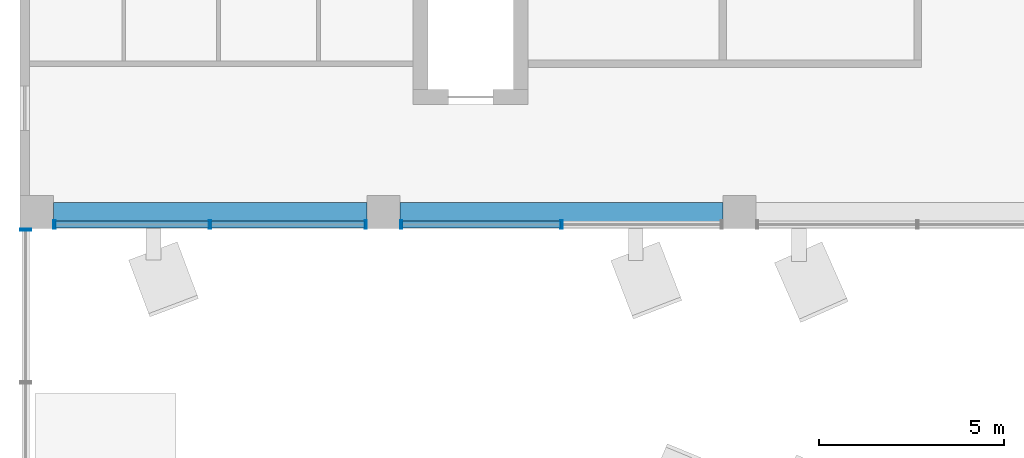
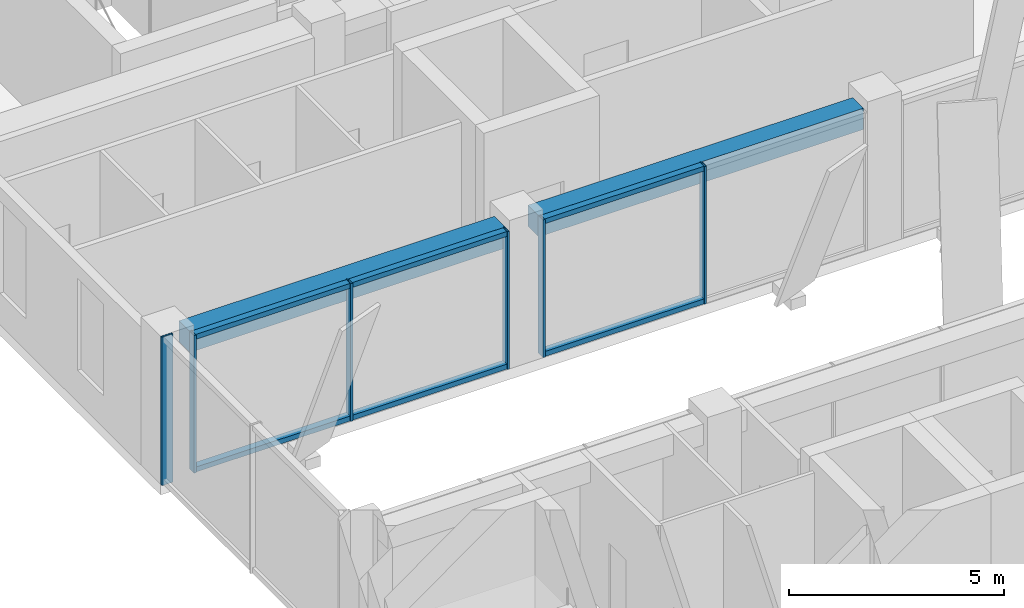
# One storey, part 8 of 36: 12 members, 2 beams, 3 elements without a shape of their own.
"""IFC4 building model written with IfcOpenShell, lengths in metres."""

from ifc_helpers import new_model, si_unit, direction, frame, origin, origin_2d, place, context, subcontext, project, spatial, rectangle, hollow_rectangle, extrude, material, layer, layer_set, material_profile, profile_set, type_object, element, aggregate, save


model = new_model("IFC4")

# Units and contexts
model_context = context("Model", 3, precision=1e-05, world=origin(), true_north=direction((0.0, 1.0)))
body_context = subcontext(model_context, "Body", "Model", "MODEL_VIEW")
ifc_project = project(units=[si_unit("LENGTHUNIT", "METRE"), si_unit("AREAUNIT", "SQUARE_METRE"), si_unit("VOLUMEUNIT", "CUBIC_METRE"), si_unit("PLANEANGLEUNIT", "RADIAN"), si_unit("MASSUNIT", "GRAM", prefix="KILO")], contexts=[model_context])

# Site, building, storey
site_placement = place(None, origin())
site = spatial("IfcSite", under=ifc_project, at=site_placement, CompositionType="ELEMENT")
building_placement = place(site_placement, origin())
building = spatial("IfcBuilding", under=site, at=building_placement, Name="Nzadi Deep Aquarium and Research Tower", CompositionType="ELEMENT")
storey_placement = place(building_placement, frame((0.0, 0.0, 36.10009765625)))
storey = spatial("IfcBuildingStorey", under=building, at=storey_placement, Name="L06", CompositionType="ELEMENT", Elevation=36.10009765625)

# Curtain wall, members
ifc_material_1 = material(Name="Aluminium unitised frame deep", Category="aluminium")
ifc_layer_1 = layer(ifc_material_1, 0.22509765625)
ifc_layer_set_1 = layer_set([ifc_layer_1], Name="Aluminium unitised frame deep")
curtain_wall_type_1 = type_object("IfcCurtainWallType", Name="Curtain wall Unitised Deep 225", PredefinedType="NOTDEFINED", material=ifc_layer_set_1)
curtain_wall_1_placement = place(storey_placement, origin())
curtain_wall_1 = element("IfcCurtainWall", 1, at=curtain_wall_1_placement, inside=storey, type_object=curtain_wall_type_1, Name="Unitised curtain wall blade B south L06", PredefinedType="NOTDEFINED")
ifc_material_2 = material(Name="Aluminium unitised frame deep", Category="aluminium")
ifc_material_profile_1 = material_profile(ifc_material_2, hollow_rectangle(XDim=0.22509765625, YDim=0.06005859375, WallThickness=0.0048828125, at=origin_2d()))
ifc_profile_set_1 = profile_set([ifc_material_profile_1], Name="Aluminium unitised frame deep")
member_type_1 = type_object("IfcMemberType", Name="Mullion 60x225 Unitised Deep", PredefinedType="MULLION", material=ifc_profile_set_1)
member_1_placement = place(storey_placement, frame((0.72998046875, 27.262451171875, 0.0), z_axis=(0.0, 0.0, 1.0), x_axis=(0.0, 1.0, 0.0)))
member_1 = element("IfcMember", 2, at=member_1_placement, type_object=member_type_1, Name="CW088 mullion 1", PredefinedType="MULLION", context=body_context, shape_type="SweptSolid", body=[
    extrude(hollow_rectangle(XDim=0.22509765625, YDim=0.06005859375, WallThickness=0.0048828125, at=origin_2d()), origin(), (0.0, 0.0, 1.0), 3.89990234375),
])
member_2_placement = place(storey_placement, frame((4.925048828125, 27.262451171875, 0.0), z_axis=(0.0, 0.0, 1.0), x_axis=(0.0, 1.0, 0.0)))
member_2 = element("IfcMember", 3, at=member_2_placement, type_object=member_type_1, Name="CW088 mullion 2", PredefinedType="MULLION", context=body_context, shape_type="SweptSolid", body=[
    extrude(hollow_rectangle(XDim=0.22509765625, YDim=0.06005859375, WallThickness=0.0048828125, at=origin_2d()), origin(), (0.0, 0.0, 1.0), 3.89990234375),
])
member_3_placement = place(storey_placement, frame((9.1201171875, 27.262451171875, 0.0), z_axis=(0.0, 0.0, 1.0), x_axis=(0.0, 1.0, 0.0)))
member_3 = element("IfcMember", 4, at=member_3_placement, type_object=member_type_1, Name="CW088 mullion 3", PredefinedType="MULLION", context=body_context, shape_type="SweptSolid", body=[
    extrude(hollow_rectangle(XDim=0.22509765625, YDim=0.06005859375, WallThickness=0.0048828125, at=origin_2d()), origin(), (0.0, 0.0, 1.0), 3.89990234375),
])

curtain_wall_2_placement = place(storey_placement, origin())
curtain_wall_2 = element("IfcCurtainWall", 5, at=curtain_wall_2_placement, inside=storey, type_object=curtain_wall_type_1, Name="Unitised curtain wall blade B south L06", PredefinedType="NOTDEFINED")
member_4_placement = place(storey_placement, frame((10.080078125, 27.262451171875, 0.0), z_axis=(0.0, 0.0, 1.0), x_axis=(0.0, 1.0, 0.0)))
member_4 = element("IfcMember", 6, at=member_4_placement, type_object=member_type_1, Name="CW089 mullion 1", PredefinedType="MULLION", context=body_context, shape_type="SweptSolid", body=[
    extrude(hollow_rectangle(XDim=0.22509765625, YDim=0.06005859375, WallThickness=0.0048828125, at=origin_2d()), origin(), (0.0, 0.0, 1.0), 3.89990234375),
])
member_5_placement = place(storey_placement, frame((14.39990234375, 27.262451171875, 0.0), z_axis=(0.0, 0.0, 1.0), x_axis=(0.0, 1.0, 0.0)))
member_5 = element("IfcMember", 7, at=member_5_placement, type_object=member_type_1, Name="CW089 mullion 2", PredefinedType="MULLION", context=body_context, shape_type="SweptSolid", body=[
    extrude(hollow_rectangle(XDim=0.22509765625, YDim=0.06005859375, WallThickness=0.0048828125, at=origin_2d()), origin(), (0.0, 0.0, 1.0), 3.89990234375),
])

# Curtain wall, member
ifc_material_3 = material(Name="Aluminium unitised frame wind post", Category="aluminium")
ifc_layer_2 = layer(ifc_material_3, 0.300048828125)
ifc_layer_set_2 = layer_set([ifc_layer_2], Name="Aluminium unitised frame wind post")
curtain_wall_type_2 = type_object("IfcCurtainWallType", Name="Curtain wall Slot End 300", PredefinedType="NOTDEFINED", material=ifc_layer_set_2)
curtain_wall_3_placement = place(storey_placement, origin())
curtain_wall_3 = element("IfcCurtainWall", 8, at=curtain_wall_3_placement, inside=storey, type_object=curtain_wall_type_2, Name="Glazed slot end west L06", PredefinedType="NOTDEFINED")
ifc_material_4 = material(Name="Aluminium unitised frame wind post", Category="aluminium")
ifc_material_profile_2 = material_profile(ifc_material_4, hollow_rectangle(XDim=0.300048828125, YDim=0.06005859375, WallThickness=0.0048828125, at=origin_2d()))
ifc_profile_set_2 = profile_set([ifc_material_profile_2], Name="Aluminium unitised frame wind post")
member_type_2 = type_object("IfcMemberType", Name="Mullion 60x300 Slot End", PredefinedType="MULLION", material=ifc_profile_set_2)
member_6_placement = place(storey_placement, frame((-0.049560546875, 27.1201171875, 0.0), z_axis=(0.0, 0.0, 1.0), x_axis=(-1.0, 0.0, 0.0)))
member_6 = element("IfcMember", 9, at=member_6_placement, type_object=member_type_2, Name="CW203 mullion 3", PredefinedType="MULLION", context=body_context, shape_type="SweptSolid", body=[
    extrude(hollow_rectangle(XDim=0.300048828125, YDim=0.06005859375, WallThickness=0.0048828125, at=origin_2d()), origin(), (0.0, 0.0, 1.0), 4.199951171875),
])
aggregate(curtain_wall_3, [member_6])

# Beams
ifc_material_5 = material(Name="Concrete C35/45", Category="concrete")
ifc_material_profile_3 = material_profile(ifc_material_5, rectangle(XDim=0.5, YDim=0.60009765625, at=origin_2d()))
ifc_profile_set_3 = profile_set([ifc_material_profile_3], Name="Concrete C35/45")
beam_type = type_object("IfcBeamType", Name="RC 500x600", PredefinedType="BEAM", material=ifc_profile_set_3)
beam_1_placement = place(storey_placement, frame((0.699951171875, 27.60009765625, 3.599853515625), z_axis=(1.0, 0.0, 0.0), x_axis=(0.0, 1.0, 0.0)))
element("IfcBeam", 10, at=beam_1_placement, inside=storey, type_object=beam_type, Name="B-Z1-L06-L4-1", PredefinedType="BEAM", context=body_context, shape_type="SweptSolid", body=[
    extrude(rectangle(XDim=0.5, YDim=0.60009765625, at=origin_2d()), origin(), (0.0, 0.0, 1.0), 8.449951171875),
])
beam_2_placement = place(storey_placement, frame((10.050048828125, 27.60009765625, 3.599853515625), z_axis=(1.0, 0.0, 0.0), x_axis=(0.0, 1.0, 0.0)))
element("IfcBeam", 11, at=beam_2_placement, inside=storey, type_object=beam_type, Name="B-Z1-L06-L4-2", PredefinedType="BEAM", context=body_context, shape_type="SweptSolid", body=[
    extrude(rectangle(XDim=0.5, YDim=0.60009765625, at=origin_2d()), origin(), (0.0, 0.0, 1.0), 8.699951171875),
])

# Member
ifc_material_6 = material(Name="Aluminium unitised frame deep", Category="aluminium")
ifc_material_profile_4 = material_profile(ifc_material_6, hollow_rectangle(XDim=0.179931640625, YDim=0.139892578125, WallThickness=0.0048828125, at=origin_2d()))
ifc_profile_set_4 = profile_set([ifc_material_profile_4], Name="Aluminium unitised frame deep")
member_type_3 = type_object("IfcMemberType", Name="Transom 140x180 Unitised Deep", PredefinedType="MULLION", material=ifc_profile_set_4)
member_7_placement = place(storey_placement, frame((0.760009765625, 27.262451171875, 0.06982421875), z_axis=(1.0, 0.0, 0.0), x_axis=(0.0, 1.0, 0.0)))
member_7 = element("IfcMember", 12, at=member_7_placement, type_object=member_type_3, Name="CW088 transom 1.1", PredefinedType="MULLION", context=body_context, shape_type="SweptSolid", body=[
    extrude(hollow_rectangle(XDim=0.179931640625, YDim=0.139892578125, WallThickness=0.0048828125, at=origin_2d()), origin(), (0.0, 0.0, 1.0), 4.135009765625),
])

member_8_placement = place(storey_placement, frame((0.760009765625, 27.262451171875, 3.829833984375), z_axis=(1.0, 0.0, 0.0), x_axis=(0.0, 1.0, 0.0)))
member_8 = element("IfcMember", 13, at=member_8_placement, type_object=member_type_3, Name="CW088 transom 1.2", PredefinedType="MULLION", context=body_context, shape_type="SweptSolid", body=[
    extrude(hollow_rectangle(XDim=0.179931640625, YDim=0.139892578125, WallThickness=0.0048828125, at=origin_2d()), origin(), (0.0, 0.0, 1.0), 4.135009765625),
])

member_9_placement = place(storey_placement, frame((4.955078125, 27.262451171875, 0.06982421875), z_axis=(1.0, 0.0, 0.0), x_axis=(0.0, 1.0, 0.0)))
member_9 = element("IfcMember", 14, at=member_9_placement, type_object=member_type_3, Name="CW088 transom 2.1", PredefinedType="MULLION", context=body_context, shape_type="SweptSolid", body=[
    extrude(hollow_rectangle(XDim=0.179931640625, YDim=0.139892578125, WallThickness=0.0048828125, at=origin_2d()), origin(), (0.0, 0.0, 1.0), 4.135009765625),
])

member_10_placement = place(storey_placement, frame((4.955078125, 27.262451171875, 3.829833984375), z_axis=(1.0, 0.0, 0.0), x_axis=(0.0, 1.0, 0.0)))
member_10 = element("IfcMember", 15, at=member_10_placement, type_object=member_type_3, Name="CW088 transom 2.2", PredefinedType="MULLION", context=body_context, shape_type="SweptSolid", body=[
    extrude(hollow_rectangle(XDim=0.179931640625, YDim=0.139892578125, WallThickness=0.0048828125, at=origin_2d()), origin(), (0.0, 0.0, 1.0), 4.135009765625),
])

aggregate(curtain_wall_1, [member_1, member_2, member_3, member_7, member_8, member_9, member_10])

member_11_placement = place(storey_placement, frame((10.110107421875, 27.262451171875, 0.06982421875), z_axis=(1.0, 0.0, 0.0), x_axis=(0.0, 1.0, 0.0)))
member_11 = element("IfcMember", 16, at=member_11_placement, type_object=member_type_3, Name="CW089 transom 1.1", PredefinedType="MULLION", context=body_context, shape_type="SweptSolid", body=[
    extrude(hollow_rectangle(XDim=0.179931640625, YDim=0.139892578125, WallThickness=0.0048828125, at=origin_2d()), origin(), (0.0, 0.0, 1.0), 4.260009765625),
])

member_12_placement = place(storey_placement, frame((10.110107421875, 27.262451171875, 3.829833984375), z_axis=(1.0, 0.0, 0.0), x_axis=(0.0, 1.0, 0.0)))
member_12 = element("IfcMember", 17, at=member_12_placement, type_object=member_type_3, Name="CW089 transom 1.2", PredefinedType="MULLION", context=body_context, shape_type="SweptSolid", body=[
    extrude(hollow_rectangle(XDim=0.179931640625, YDim=0.139892578125, WallThickness=0.0048828125, at=origin_2d()), origin(), (0.0, 0.0, 1.0), 4.260009765625),
])

aggregate(curtain_wall_2, [member_4, member_5, member_11, member_12])

save(model, "model.ifc")
